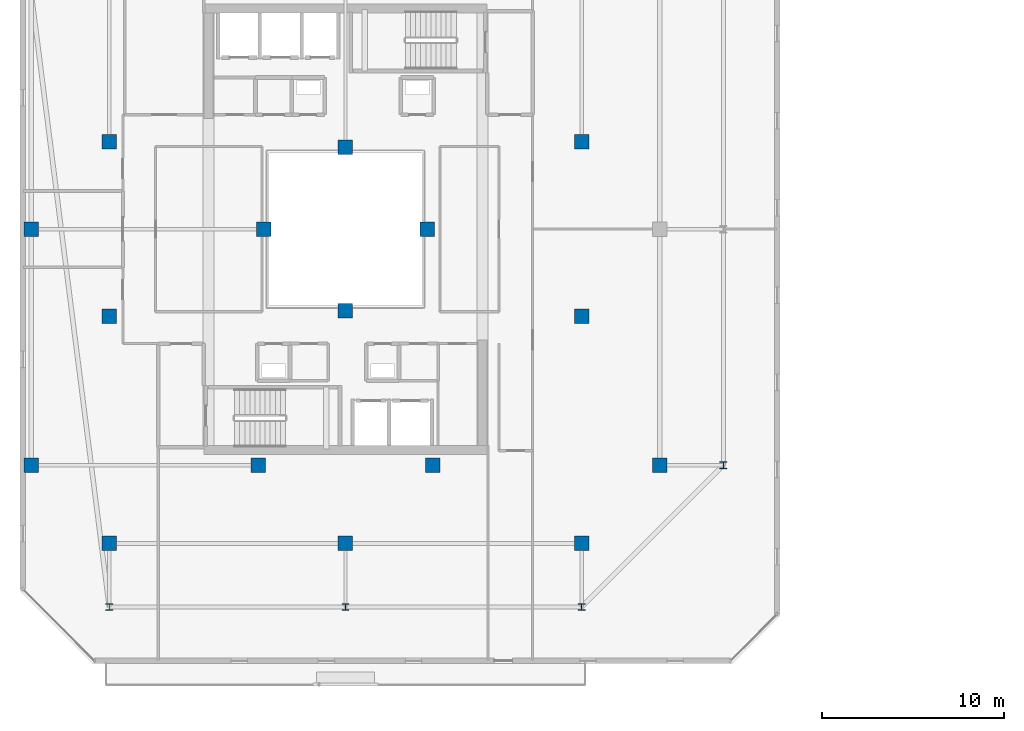
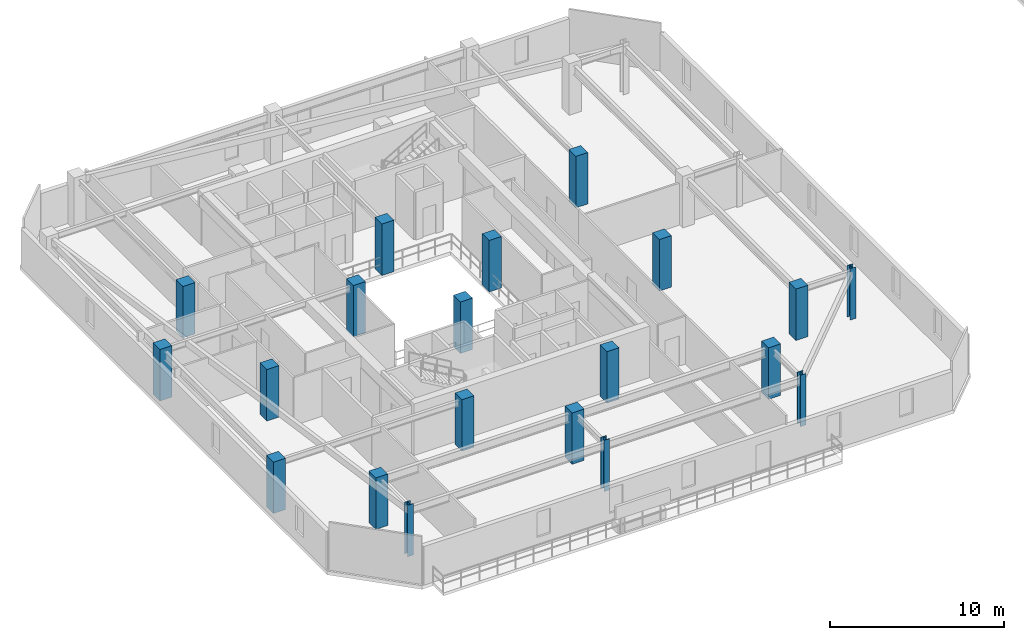
# One storey, part 1 of 34: 20 columns.
"""IFC4 building model written with IfcOpenShell, lengths in metres."""

import ifcopenshell
import ifcopenshell.guid

model = None  # the IFC model being written
_history = None  # IfcOwnerHistory: only IFC2X3 demands one
_inside = {}  # id of a spatial element -> (the spatial element, [elements in it])
_under = {}  # id of a project, library or spatial element -> (it, [spatial elements below it])
_declared = {}  # id of a project -> (the project, [libraries it declares])
_typed = {}  # id of a type object -> (the type object, [elements of that type])
_made_of = {}  # id of a material, layer set ... -> (it, [elements and type objects made of it])


def new_model(schema):
    """Start an empty IFC model of exactly this schema.

    Asked for "IFC4X3", IfcOpenShell would pick the latest addendum, in which some entities
    have other attributes; the version numbers below select the first issue.
    IFC2X3 requires an IfcOwnerHistory on every rooted entity: one is made here for all.
    """
    global model, _history
    if schema == "IFC4X3":
        model = ifcopenshell.file(schema_version=(4, 3, 0, 0))
    else:
        model = ifcopenshell.file(schema=schema)
    _inside.clear()
    _under.clear()
    _declared.clear()
    _typed.clear()
    _made_of.clear()
    _history = None
    if model.schema == "IFC2X3":
        org = make("IfcOrganization", Name="unknown")
        user = make(
            "IfcPersonAndOrganization",
            ThePerson=make("IfcPerson", FamilyName="unknown"),
            TheOrganization=org,
        )
        app = make(
            "IfcApplication",
            ApplicationDeveloper=org,
            Version="unknown",
            ApplicationFullName="unknown",
            ApplicationIdentifier="unknown",
        )
        _history = make(
            "IfcOwnerHistory",
            OwningUser=user,
            OwningApplication=app,
            ChangeAction="ADDED",
            CreationDate=0,
        )
    return model


def make(cls, **values):
    """One entity of the class cls with the attributes given. An attribute that is None is left unset."""
    return model.create_entity(
        cls, **{name: value for name, value in values.items() if value is not None}
    )


def rooted(cls, **values):
    """An entity with a GlobalId (a new one), such as an element, a storey or a relation."""
    return make(cls, GlobalId=ifcopenshell.guid.new(), OwnerHistory=_history, **values)


def si_unit(unit_type, name, prefix=None):
    """IfcSIUnit, for example si_unit("LENGTHUNIT", "METRE", prefix="MILLI")."""
    return make("IfcSIUnit", UnitType=unit_type, Prefix=prefix, Name=name)


def assignment(units):
    """IfcUnitAssignment: the units of a project."""
    return None if units is None else make("IfcUnitAssignment", Units=units)


def point(xyz):
    """IfcCartesianPoint."""
    return None if xyz is None else make("IfcCartesianPoint", Coordinates=xyz)


def direction(xyz):
    """IfcDirection."""
    return None if xyz is None else make("IfcDirection", DirectionRatios=xyz)


def frame(location, z_axis=None, x_axis=None):
    """IfcAxis2Placement3D, a coordinate frame: its origin and axes. An axis left out is left unset."""
    return make(
        "IfcAxis2Placement3D",
        Location=point(location),
        Axis=direction(z_axis),
        RefDirection=direction(x_axis),
    )


def frame_2d(location, x_axis=None):
    """IfcAxis2Placement2D, a coordinate frame in the plane: its origin and x axis."""
    return make(
        "IfcAxis2Placement2D", Location=point(location), RefDirection=direction(x_axis)
    )


def origin():
    """The frame at (0, 0, 0) with its axes left unset."""
    return frame((0.0, 0.0, 0.0))


def origin_2d():
    """The frame at (0, 0) in the plane with its x axis left unset."""
    return frame_2d((0.0, 0.0))


def place(relative_to, where):
    """IfcLocalPlacement: puts the frame where relative to a parent placement (None: the world)."""
    return make(
        "IfcLocalPlacement", PlacementRelTo=relative_to, RelativePlacement=where
    )


def context(
    kind, dimensions, precision=None, world=None, true_north=None, identifier=None
):
    """IfcGeometricRepresentationContext, for example the 3D "Model" context."""
    return make(
        "IfcGeometricRepresentationContext",
        ContextIdentifier=identifier,
        ContextType=kind,
        CoordinateSpaceDimension=dimensions,
        Precision=precision,
        WorldCoordinateSystem=world,
        TrueNorth=true_north,
    )


def subcontext(parent, identifier, kind, view, scale=None):
    """IfcGeometricRepresentationSubContext, for example "Body" below "Model"."""
    return make(
        "IfcGeometricRepresentationSubContext",
        ContextIdentifier=identifier,
        ContextType=kind,
        ParentContext=parent,
        TargetScale=scale,
        TargetView=view,
    )


def project(units=None, contexts=None):
    """IfcProject with its units and contexts."""
    return rooted(
        "IfcProject",
        Name="project",
        RepresentationContexts=contexts,
        UnitsInContext=assignment(units),
    )


def spatial(cls, under=None, at=None, **own):
    """A site, building, storey or space (cls), placed at a placement, below another one or the project."""
    s = rooted(cls, ObjectPlacement=at, **own)
    if under is not None:
        _under.setdefault(under.id(), (under, []))[1].append(s)
    return s


def profile(cls, at=None, kind="AREA", **sizes):
    """A parametric profile (cls). Its sizes go by their IFC names, for example OverallWidth=200.0."""
    return make(cls, ProfileType=kind, Position=at, **sizes)


def rectangle(**sizes):
    """IfcRectangleProfileDef."""
    return profile("IfcRectangleProfileDef", **sizes)


def i_section(**sizes):
    """IfcIShapeProfileDef."""
    return profile("IfcIShapeProfileDef", **sizes)


def extrude(swept, where, along, depth):
    """IfcExtrudedAreaSolid: the profile swept, set in the frame where, extruded along a direction by depth."""
    return make(
        "IfcExtrudedAreaSolid",
        SweptArea=swept,
        Position=where,
        ExtrudedDirection=direction(along),
        Depth=depth,
    )


def shape(context_of_items, identifier, shape_type, items):
    """IfcShapeRepresentation: the items that make up one representation, for example the "Body"."""
    return make(
        "IfcShapeRepresentation",
        ContextOfItems=context_of_items,
        RepresentationIdentifier=identifier,
        RepresentationType=shape_type,
        Items=items,
    )


def material(Name=None, Category=None):
    """IfcMaterial."""
    return make("IfcMaterial", Name=Name, Category=Category)


def material_profile(
    of_material, cross_section, Name=None, Category=None, Priority=None
):
    """IfcMaterialProfile: a cross section and its material."""
    return make(
        "IfcMaterialProfile",
        Name=Name,
        Material=of_material,
        Profile=cross_section,
        Priority=Priority,
        Category=Category,
    )


def profile_set(profiles, Name=None, composite=None):
    """IfcMaterialProfileSet."""
    return make(
        "IfcMaterialProfileSet",
        Name=Name,
        MaterialProfiles=profiles,
        CompositeProfile=composite,
    )


def made_of(thing, what):
    """Note that an element or type object is made of a material, layer set ...; save() writes the relation."""
    if what is not None:
        _made_of.setdefault(what.id(), (what, []))[1].append(thing)
    return thing


def type_object(cls, material=None, **own):
    """A type object (cls), such as IfcWallType, which elements share."""
    return made_of(rooted(cls, **own), material)


def element(
    cls,
    number,
    at=None,
    inside=None,
    cuts=None,
    type_object=None,
    material=None,
    context=None,
    identifier="Body",
    shape_type=None,
    held_by="IfcProductDefinitionShape",
    body=None,
    shapes=None,
    **own,
):
    """One element of the class cls, such as IfcWall. Its Tag is "e" and its number.

    at: its placement. inside: the storey or other place that contains it. cuts: it is an
    opening in that element (IfcRelVoidsElement). A single representation is given by context,
    identifier, shape_type and body (its items); several are given by shapes. held_by: the class
    of the entity that holds the representations. save() writes the other relations.
    """
    e = rooted(cls, Tag="e%d" % number, ObjectPlacement=at, **own)
    if body is not None:
        shapes = [shape(context, identifier, shape_type, body)]
    if shapes is not None:
        e.Representation = make(held_by, Representations=shapes)
    if inside is not None:
        _inside.setdefault(inside.id(), (inside, []))[1].append(e)
    if cuts is not None:
        rooted(
            "IfcRelVoidsElement", RelatingBuildingElement=cuts, RelatedOpeningElement=e
        )
    if type_object is not None:
        _typed.setdefault(type_object.id(), (type_object, []))[1].append(e)
    return made_of(e, material)


def aggregate(whole, parts):
    """IfcRelAggregates: a whole, such as a stair, and the parts it consists of."""
    return rooted("IfcRelAggregates", RelatingObject=whole, RelatedObjects=parts)


def save(model, path):
    """Write the relations noted so far, then the file.

    IfcRelAggregates (storeys below a building ...), IfcRelContainedInSpatialStructure (elements
    in a storey), IfcRelDefinesByType, IfcRelAssociatesMaterial and IfcRelDeclares: one each for
    every whole, place, type object, material and project.
    """
    for whole, parts in _under.values():
        aggregate(whole, parts)
    for where, things in _inside.values():
        rooted(
            "IfcRelContainedInSpatialStructure",
            RelatedElements=things,
            RelatingStructure=where,
        )
    for kind, things in _typed.values():
        rooted("IfcRelDefinesByType", RelatedObjects=things, RelatingType=kind)
    for what, things in _made_of.values():
        rooted("IfcRelAssociatesMaterial", RelatedObjects=things, RelatingMaterial=what)
    for by, libraries in _declared.values():
        rooted("IfcRelDeclares", RelatingContext=by, RelatedDefinitions=libraries)
    model.write(path)


model = new_model("IFC4")

# Units and contexts
model_context = context("Model", 3, precision=1e-05, world=origin(), true_north=direction((0.0, 1.0)))
body_context = subcontext(model_context, "Body", "Model", "MODEL_VIEW")
ifc_project = project(units=[si_unit("LENGTHUNIT", "METRE"), si_unit("AREAUNIT", "SQUARE_METRE"), si_unit("VOLUMEUNIT", "CUBIC_METRE"), si_unit("PLANEANGLEUNIT", "RADIAN"), si_unit("MASSUNIT", "GRAM", prefix="KILO")], contexts=[model_context])

# Site, building, storey
site_placement = place(None, origin())
site = spatial("IfcSite", under=ifc_project, at=site_placement, CompositionType="ELEMENT")
building_placement = place(site_placement, origin())
building = spatial("IfcBuilding", under=site, at=building_placement, Name="Thornwick Lancets Civic Towers", CompositionType="ELEMENT")
storey_placement = place(building_placement, frame((0.0, 0.0, 258.300048828125)))
storey = spatial("IfcBuildingStorey", under=building, at=storey_placement, Name="L69", CompositionType="ELEMENT", Elevation=258.300048828125)

# Columns
ifc_material_1 = material(Name="Concrete C50/60", Category="concrete")
ifc_material_profile_1 = material_profile(ifc_material_1, rectangle(XDim=0.800048828125, YDim=0.800048828125, at=origin_2d()), Name="RC 800x800")
ifc_profile_set_1 = profile_set([ifc_material_profile_1], Name="Concrete C50/60")
column_type_1 = type_object("IfcColumnType", Name="COL_RC_800", PredefinedType="COLUMN", material=ifc_profile_set_1)
for number, where, z_axis, x_axis, name in (
    (1, (12.5, 9.699951171875, 0.0), (0.0, 0.0, 1.0), (1.0, 0.0, 0.0), "L69 Spine Mega-Column A01"),
    (2, (25.5, 9.699951171875, 0.0), (0.0, 0.0, 1.0), (1.0, 0.0, 0.0), "L69 Spine Mega-Column A02"),
    (3, (38.5, 9.699951171875, 0.0), (0.0, 0.0, 1.0), (1.0, 0.0, 0.0), "L69 Spine Mega-Column A03"),
    (4, (42.800048828125, 14.0, 0.0), (0.0, 0.0, 1.0), (1.0, 0.0, 0.0), "L69 Spine Mega-Column A04"),
    (5, (8.199951171875, 14.0, 0.0), (0.0, 0.0, 1.0), (1.0, 0.0, 0.0), "L69 Spine Mega-Column A10"),
    (6, (8.199951171875, 27.0, 0.0), (0.0, 0.0, 1.0), (1.0, 0.0, 0.0), "L69 Spine Mega-Column A11"),
    (7, (12.5, 22.199951171875, 0.0), (0.0, 0.0, 1.0), (1.0, 0.0, 0.0), "L69 Spine Mega-Column A13"),
    (8, (38.5, 22.199951171875, 0.0), (0.0, 0.0, 1.0), (1.0, 0.0, 0.0), "L69 Spine Mega-Column A14"),
    (9, (12.5, 31.800048828125, 0.0), (0.0, 0.0, 1.0), (1.0, 0.0, 0.0), "L69 Spine Mega-Column A15"),
    (10, (38.5, 31.800048828125, 0.0), (0.0, 0.0, 1.0), (1.0, 0.0, 0.0), "L69 Spine Mega-Column A16"),
    (11, (20.699951171875, 14.0, 0.0), (0.0, 0.0, 1.0), (1.0, 0.0, 0.0), "L69 Spine Mega-Column A17"),
    (12, (30.300048828125, 14.0, 0.0), (0.0, 0.0, 1.0), (1.0, 0.0, 0.0), "L69 Spine Mega-Column A18"),
    (13, (25.5, 22.5, 0.0), (0.0, 0.0, 1.0), (1.0, 0.0, 0.0), "L69 Spine Mega-Column A21"),
    (14, (25.5, 31.5, 0.0), (0.0, 0.0, 1.0), (1.0, 0.0, 0.0), "L69 Spine Mega-Column A22"),
    (15, (21.0, 27.0, 0.0), (0.0, 0.0, 1.0), (1.0, 0.0, 0.0), "L69 Spine Mega-Column A23"),
    (16, (30.0, 27.0, 0.0), (0.0, 0.0, 1.0), (1.0, 0.0, 0.0), "L69 Spine Mega-Column A24"),
):
    element("IfcColumn", number, at=place(storey_placement, frame(where, z_axis=z_axis, x_axis=x_axis)), inside=storey, type_object=column_type_1, Name=name, PredefinedType="COLUMN", context=body_context, shape_type="SweptSolid", body=[
        extrude(rectangle(XDim=0.800048828125, YDim=0.800048828125, at=origin_2d()), origin(), (0.0, 0.0, 1.0), 3.599853515625),
    ])
ifc_material_2 = material(Name="Steel S355JR", Category="steel")
ifc_material_profile_2 = material_profile(ifc_material_2, i_section(OverallWidth=0.374755859375, OverallDepth=0.37451171875, WebThickness=0.0166015625, FlangeThickness=0.027099609375, FilletRadius=0.01513671875, at=origin_2d()), Name="UKC 356x368x202")
ifc_profile_set_2 = profile_set([ifc_material_profile_2], Name="Steel S355JR")
column_type_2 = type_object("IfcColumnType", Name="COL_UKC_202", PredefinedType="COLUMN", material=ifc_profile_set_2)
for number, where, z_axis, x_axis, name in (
    (17, (12.5, 6.199951171875, 0.0), (0.0, 0.0, 1.0), (1.0, 0.0, 0.0), "L69 Block Perimeter Column A01"),
    (18, (25.5, 6.199951171875, 0.0), (0.0, 0.0, 1.0), (1.0, 0.0, 0.0), "L69 Block Perimeter Column A02"),
    (19, (38.5, 6.199951171875, 0.0), (0.0, 0.0, 1.0), (1.0, 0.0, 0.0), "L69 Block Perimeter Column A03"),
    (20, (46.300048828125, 14.0, 0.0), (0.0, 0.0, 1.0), (1.0, 0.0, 0.0), "L69 Block Perimeter Column A04"),
):
    element("IfcColumn", number, at=place(storey_placement, frame(where, z_axis=z_axis, x_axis=x_axis)), inside=storey, type_object=column_type_2, Name=name, PredefinedType="COLUMN", context=body_context, shape_type="SweptSolid", body=[
        extrude(i_section(OverallWidth=0.374755859375, OverallDepth=0.37451171875, WebThickness=0.0166015625, FlangeThickness=0.027099609375, FilletRadius=0.01513671875, at=origin_2d()), origin(), (0.0, 0.0, 1.0), 3.599853515625),
    ])

save(model, "model.ifc")
